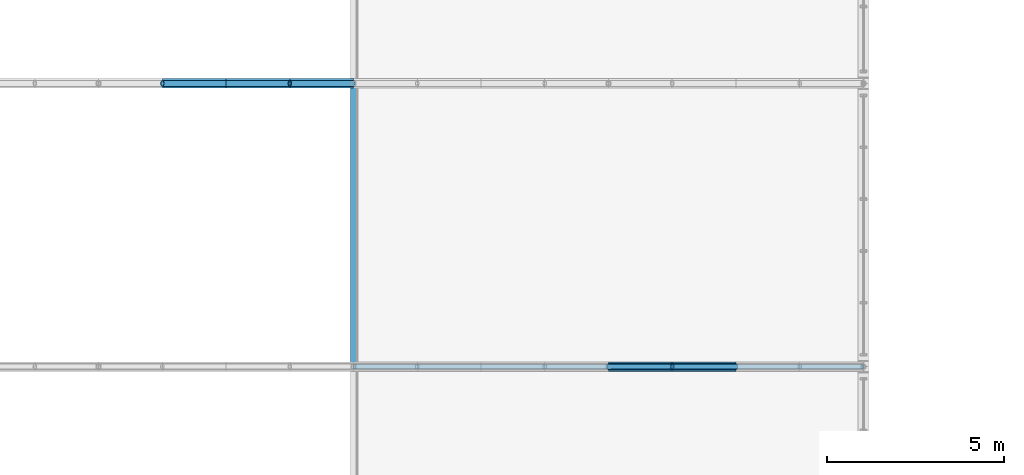
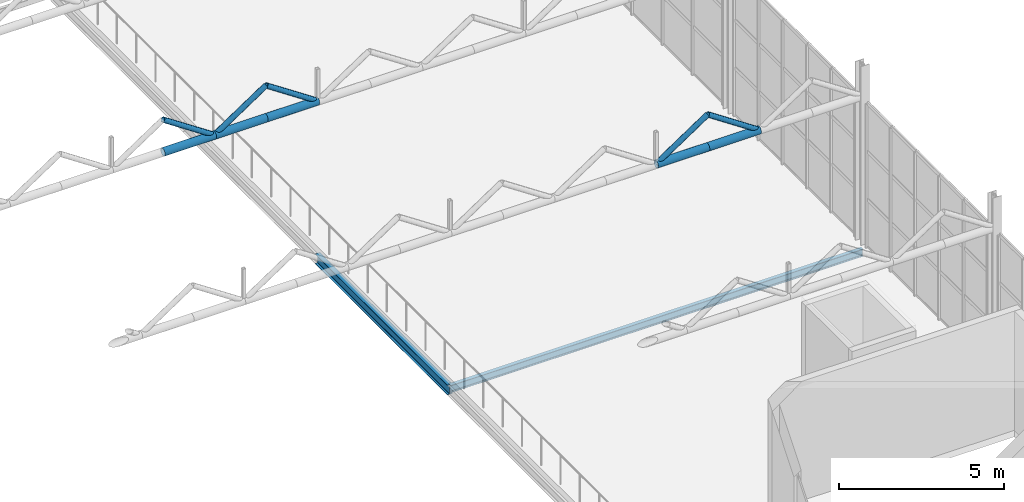
# One storey, part 89 of 153: 10 members, 2 beams.
"""IFC4 building model written with IfcOpenShell, lengths in metres."""

from ifc_helpers import new_model, si_unit, derived_unit, direction, frame, origin, origin_2d, place, context, subcontext, project, spatial, hollow_circle, i_section, extrude, material, material_profile, profile_set, type_object, element, save


model = new_model("IFC4")

# Units and contexts
model_context = context("Model", 3, precision=1e-05, world=origin(), true_north=direction((0.0, 1.0)))
body_context = subcontext(model_context, "Body", "Model", "MODEL_VIEW")
ifc_project = project(units=[si_unit("LENGTHUNIT", "METRE"), si_unit("AREAUNIT", "SQUARE_METRE"), si_unit("VOLUMEUNIT", "CUBIC_METRE"), si_unit("PLANEANGLEUNIT", "RADIAN"), si_unit("MASSUNIT", "GRAM", prefix="KILO"), derived_unit("THERMALTRANSMITTANCEUNIT", [(si_unit("POWERUNIT", "WATT"), 1), (si_unit("LENGTHUNIT", "METRE"), -2), (si_unit("THERMODYNAMICTEMPERATUREUNIT", "KELVIN"), -1)])], contexts=[model_context])

# Site, building, storey
site_placement = place(None, origin())
site = spatial("IfcSite", under=ifc_project, at=site_placement, CompositionType="ELEMENT")
building_placement = place(site_placement, origin())
building = spatial("IfcBuilding", under=site, at=building_placement, Name="Keldorne Ridge Multi-Sports Centre", CompositionType="ELEMENT")
storey_placement = place(building_placement, frame((0.0, 0.0, 9.60009765625)))
storey = spatial("IfcBuildingStorey", under=building, at=storey_placement, Name="L02", CompositionType="ELEMENT", Elevation=9.60009765625)

# Beams
ifc_material = material(Name="Steel S355", Category="steel")
ifc_material_profile_1 = material_profile(ifc_material, i_section(OverallWidth=0.169921875, OverallDepth=0.360107421875, WebThickness=0.008056640625, FlangeThickness=0.0126953125, FilletRadius=0.01806640625, at=origin_2d()), Name="IPE 360")
ifc_profile_set_1 = profile_set([ifc_material_profile_1], Name="Steel S355")
beam_type_1 = type_object("IfcBeamType", Name="BM-B-05", PredefinedType="BEAM", material=ifc_profile_set_1)
beam_1_placement = place(storey_placement, frame((27.60009765625, 90.0, -0.420166015625), z_axis=(0.0, 1.0, 0.0), x_axis=(-1.0, 0.0, 0.0)))
element("IfcBeam", 1, at=beam_1_placement, inside=storey, type_object=beam_type_1, Name="L02 climbing gallery girder 90", PredefinedType="BEAM", context=body_context, shape_type="SweptSolid", body=[
    extrude(i_section(OverallWidth=0.169921875, OverallDepth=0.360107421875, WebThickness=0.008056640625, FlangeThickness=0.0126953125, FilletRadius=0.01806640625, at=origin_2d()), origin(), (0.0, 0.0, 1.0), 8.0),
])
ifc_material_profile_2 = material_profile(ifc_material, i_section(OverallWidth=0.135009765625, OverallDepth=0.27001953125, WebThickness=0.006591796875, FlangeThickness=0.01025390625, FilletRadius=0.014892578125, at=origin_2d()), Name="IPE 270")
ifc_profile_set_2 = profile_set([ifc_material_profile_2], Name="Steel S355")
beam_type_2 = type_object("IfcBeamType", Name="BM-J-03", PredefinedType="JOIST", material=ifc_profile_set_2)
beam_2_placement = place(storey_placement, frame((27.60009765625, 90.0, -0.375), z_axis=(1.0, 0.0, 0.0), x_axis=(0.0, 1.0, 0.0)))
element("IfcBeam", 2, at=beam_2_placement, inside=storey, type_object=beam_type_2, Name="L02 climbing gallery tie 90", PredefinedType="JOIST", context=body_context, shape_type="SweptSolid", body=[
    extrude(i_section(OverallWidth=0.135009765625, OverallDepth=0.27001953125, WebThickness=0.006591796875, FlangeThickness=0.01025390625, FilletRadius=0.014892578125, at=origin_2d()), origin(), (0.0, 0.0, 1.0), 14.39990234375),
])

# Members
ifc_material_profile_3 = material_profile(ifc_material, hollow_circle(Radius=0.136474609375, WallThickness=0.012451171875, at=origin_2d()), Name="CHS 273x12.5")
ifc_profile_set_3 = profile_set([ifc_material_profile_3], Name="Steel S355")
member_type_1 = type_object("IfcMemberType", Name="MEM-TC-05", PredefinedType="CHORD", material=ifc_profile_set_3)
member_1_placement = place(storey_placement, frame((34.800048828125, 90.0, 5.3798828125), z_axis=(1.0, 0.0, 0.0), x_axis=(0.0, 1.0, 0.0)))
element("IfcMember", 3, at=member_1_placement, inside=storey, type_object=member_type_1, Name="Climbing sawtooth ROOF TRUSS ST-03 bottom chord 17", PredefinedType="CHORD", context=body_context, shape_type="SweptSolid", body=[
    extrude(hollow_circle(Radius=0.136474609375, WallThickness=0.012451171875, at=origin_2d()), origin(), (0.0, 0.0, 1.0), 1.800048828125),
])
member_2_placement = place(storey_placement, frame((36.60009765625, 90.0, 5.3798828125), z_axis=(1.0, 0.0, 0.0), x_axis=(0.0, 1.0, 0.0)))
element("IfcMember", 4, at=member_2_placement, inside=storey, type_object=member_type_1, Name="Climbing sawtooth ROOF TRUSS ST-03 bottom chord 18", PredefinedType="CHORD", context=body_context, shape_type="SweptSolid", body=[
    extrude(hollow_circle(Radius=0.136474609375, WallThickness=0.012451171875, at=origin_2d()), origin(), (0.0, 0.0, 1.0), 1.7998046875),
])
for number, where, z_axis, x_axis, name in (
    (5, (22.199951171875, 98.0, 5.3798828125), (1.0, 0.0, 0.0), (0.0, 1.0, 0.0), "Climbing sawtooth ROOF TRUSS ST-04 bottom chord 10"),
    (6, (24.0, 98.0, 5.3798828125), (1.0, 0.0, 0.0), (0.0, 1.0, 0.0), "Climbing sawtooth ROOF TRUSS ST-04 bottom chord 11"),
    (7, (25.800048828125, 98.0, 5.3798828125), (1.0, 0.0, 0.0), (0.0, 1.0, 0.0), "Climbing sawtooth ROOF TRUSS ST-04 bottom chord 12"),
):
    element("IfcMember", number, at=place(storey_placement, frame(where, z_axis=z_axis, x_axis=x_axis)), inside=storey, type_object=member_type_1, Name=name, PredefinedType="CHORD", context=body_context, shape_type="SweptSolid", body=[
        extrude(hollow_circle(Radius=0.136474609375, WallThickness=0.012451171875, at=origin_2d()), origin(), (0.0, 0.0, 1.0), 1.800048828125),
    ])
ifc_material_profile_4 = material_profile(ifc_material, hollow_circle(Radius=0.0888671875, WallThickness=0.010009765625, at=origin_2d()), Name="CHS 177.8x10")
ifc_profile_set_4 = profile_set([ifc_material_profile_4], Name="Steel S355")
member_type_2 = type_object("IfcMemberType", Name="MEM-TD-03", PredefinedType="BRACE", material=ifc_profile_set_4)
member_3_placement = place(storey_placement, frame((34.800048828125, 90.0, 5.3798828125), z_axis=(0.832067655982, 0.0, 0.554674152876), x_axis=(0.0, 1.0, 0.0)))
element("IfcMember", 8, at=member_3_placement, inside=storey, type_object=member_type_2, Name="Climbing sawtooth web diagonal 03.17", PredefinedType="BRACE", context=body_context, shape_type="SweptSolid", body=[
    extrude(hollow_circle(Radius=0.0888671875, WallThickness=0.010009765625, at=origin_2d()), origin(), (0.0, 0.0, 1.0), 2.163330078125),
])
member_4_placement = place(storey_placement, frame((36.60009765625, 90.0, 6.579833984375), z_axis=(0.832032930248, 0.0, -0.554726241477), x_axis=(0.0, 1.0, 0.0)))
element("IfcMember", 9, at=member_4_placement, inside=storey, type_object=member_type_2, Name="Climbing sawtooth web diagonal 03.18", PredefinedType="BRACE", context=body_context, shape_type="SweptSolid", body=[
    extrude(hollow_circle(Radius=0.0888671875, WallThickness=0.010009765625, at=origin_2d()), origin(), (0.0, 0.0, 1.0), 2.1630859375),
])
for number, where, z_axis, x_axis, name in (
    (10, (22.199951171875, 98.0, 6.579833984375), (0.832067655982, 0.0, -0.554674152876), (0.0, 1.0, 0.0), "Climbing sawtooth web diagonal 04.10"),
    (11, (24.0, 98.0, 5.3798828125), (0.832067655982, 0.0, 0.554674152876), (0.0, 1.0, 0.0), "Climbing sawtooth web diagonal 04.11"),
    (12, (25.800048828125, 98.0, 6.579833984375), (0.832067655982, 0.0, -0.554674152876), (0.0, 1.0, 0.0), "Climbing sawtooth web diagonal 04.12"),
):
    element("IfcMember", number, at=place(storey_placement, frame(where, z_axis=z_axis, x_axis=x_axis)), inside=storey, type_object=member_type_2, Name=name, PredefinedType="BRACE", context=body_context, shape_type="SweptSolid", body=[
        extrude(hollow_circle(Radius=0.0888671875, WallThickness=0.010009765625, at=origin_2d()), origin(), (0.0, 0.0, 1.0), 2.163330078125),
    ])

save(model, "model.ifc")
